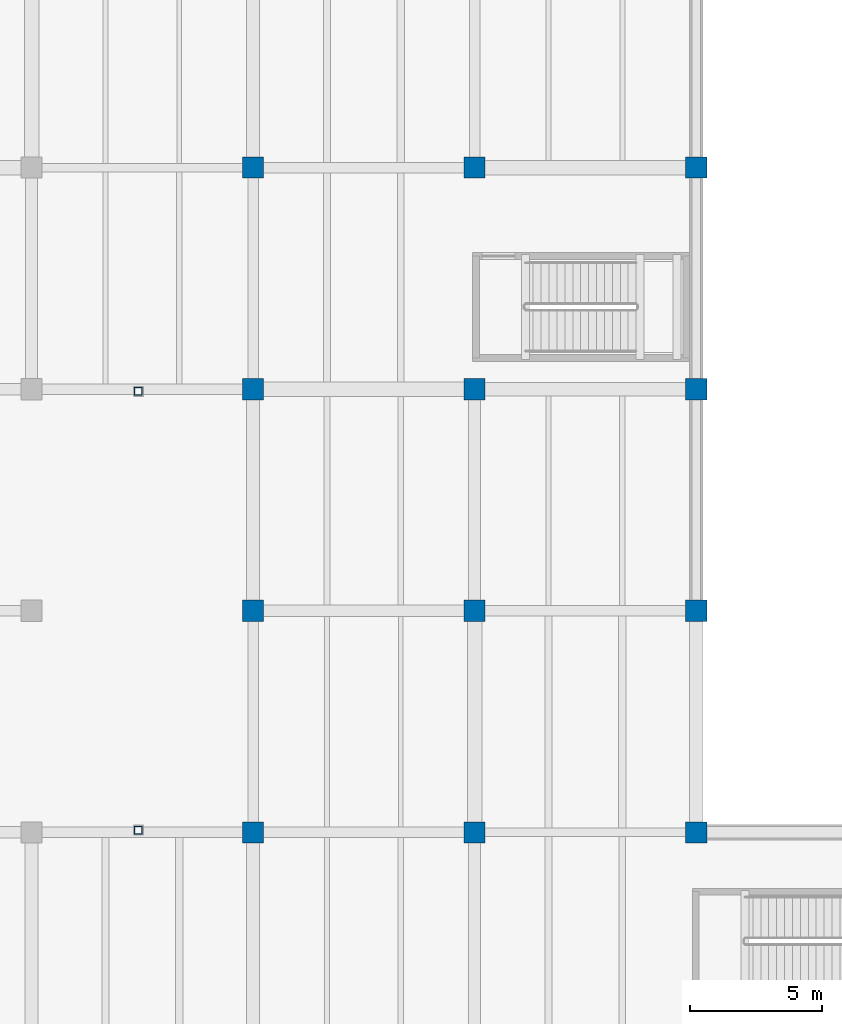
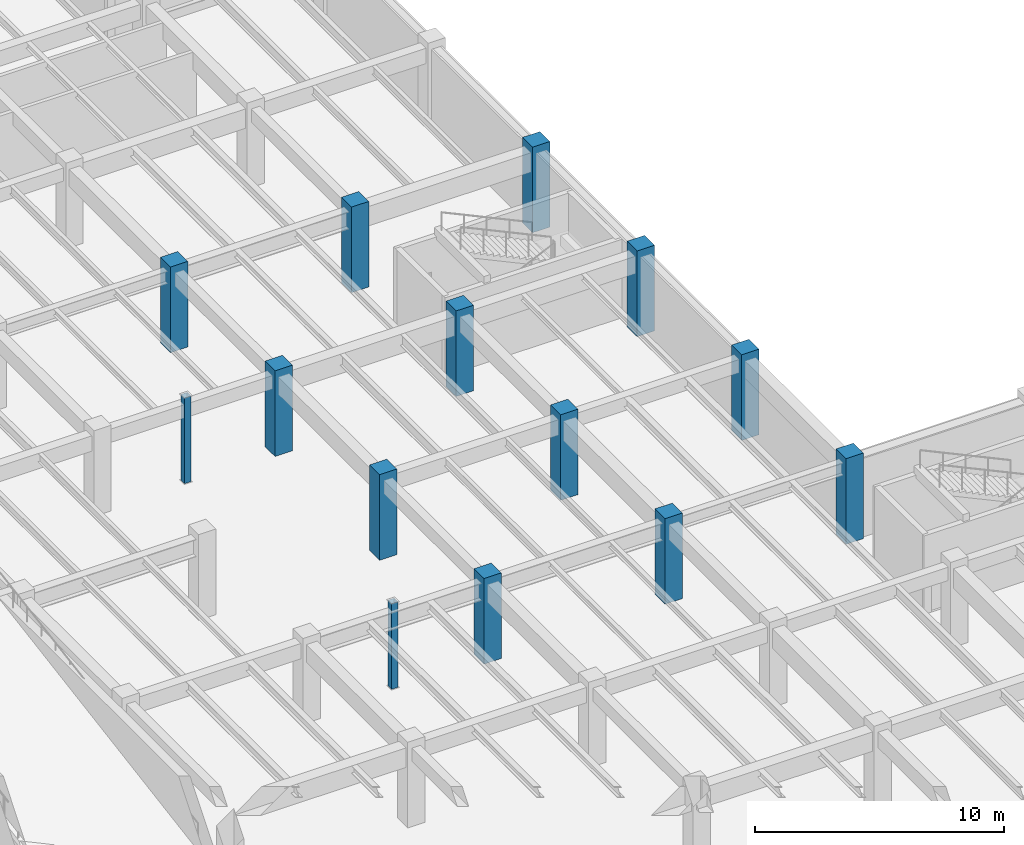
# One storey, part 13 of 63: 14 columns.
"""IFC4 building model written with IfcOpenShell, lengths in metres."""

from ifc_helpers import new_model, si_unit, direction, frame, origin, origin_2d, place, context, subcontext, project, spatial, rectangle, hollow_rectangle, extrude, material, material_profile, profile_set, type_object, element, save


model = new_model("IFC4")

# Units and contexts
model_context = context("Model", 3, precision=1e-05, world=origin(), true_north=direction((0.0, 1.0)))
body_context = subcontext(model_context, "Body", "Model", "MODEL_VIEW")
ifc_project = project(units=[si_unit("LENGTHUNIT", "METRE"), si_unit("AREAUNIT", "SQUARE_METRE"), si_unit("VOLUMEUNIT", "CUBIC_METRE"), si_unit("PLANEANGLEUNIT", "RADIAN"), si_unit("MASSUNIT", "GRAM", prefix="KILO")], contexts=[model_context])

# Site, building, storey
site_placement = place(None, origin())
site = spatial("IfcSite", under=ifc_project, at=site_placement, CompositionType="ELEMENT")
building_placement = place(site_placement, origin())
building = spatial("IfcBuilding", under=site, at=building_placement, Name="Cumbredor Promenade Congress Hotel", CompositionType="ELEMENT")
storey_placement = place(building_placement, frame((0.0, 0.0, -4.199951171875)))
storey = spatial("IfcBuildingStorey", under=building, at=storey_placement, Name="B01", CompositionType="ELEMENT", Elevation=-4.199951171875)

# Columns
ifc_material_1 = material(Name="Concrete C50/60", Category="concrete")
ifc_material_profile_1 = material_profile(ifc_material_1, rectangle(XDim=0.800048828125, YDim=0.800048828125, at=origin_2d()), Name="RC 800x800")
ifc_profile_set_1 = profile_set([ifc_material_profile_1], Name="Concrete C50/60")
column_type_1 = type_object("IfcColumnType", Name="COL-RC-800", PredefinedType="COLUMN", material=ifc_profile_set_1)
for number, where, z_axis, x_axis, name in (
    (1, (159.60009765625, 67.199951171875, 0.0), (0.0, 0.0, 1.0), (1.0, 0.0, 0.0), "B01 Structural Column 261"),
    (2, (159.60009765625, 75.60009765625, 0.0), (0.0, 0.0, 1.0), (1.0, 0.0, 0.0), "B01 Structural Column 262"),
    (3, (159.60009765625, 84.0, 0.0), (0.0, 0.0, 1.0), (1.0, 0.0, 0.0), "B01 Structural Column 263"),
    (4, (159.60009765625, 92.39990234375, 0.0), (0.0, 0.0, 1.0), (1.0, 0.0, 0.0), "B01 Structural Column 264"),
    (5, (168.0, 67.199951171875, 0.0), (0.0, 0.0, 1.0), (1.0, 0.0, 0.0), "B01 Structural Column 275"),
    (6, (168.0, 75.60009765625, 0.0), (0.0, 0.0, 1.0), (1.0, 0.0, 0.0), "B01 Structural Column 276"),
    (7, (168.0, 84.0, 0.0), (0.0, 0.0, 1.0), (1.0, 0.0, 0.0), "B01 Structural Column 277"),
    (8, (168.0, 92.39990234375, 0.0), (0.0, 0.0, 1.0), (1.0, 0.0, 0.0), "B01 Structural Column 278"),
    (9, (176.39990234375, 67.199951171875, 0.0), (0.0, 0.0, 1.0), (1.0, 0.0, 0.0), "B01 Structural Column 289"),
    (10, (176.39990234375, 75.60009765625, 0.0), (0.0, 0.0, 1.0), (1.0, 0.0, 0.0), "B01 Structural Column 290"),
    (11, (176.39990234375, 84.0, 0.0), (0.0, 0.0, 1.0), (1.0, 0.0, 0.0), "B01 Structural Column 291"),
    (12, (176.39990234375, 92.39990234375, 0.0), (0.0, 0.0, 1.0), (1.0, 0.0, 0.0), "B01 Structural Column 292"),
):
    element("IfcColumn", number, at=place(storey_placement, frame(where, z_axis=z_axis, x_axis=x_axis)), inside=storey, type_object=column_type_1, Name=name, PredefinedType="COLUMN", context=body_context, shape_type="SweptSolid", body=[
        extrude(rectangle(XDim=0.800048828125, YDim=0.800048828125, at=origin_2d()), origin(), (0.0, 0.0, 1.0), 4.199951171875),
    ])
ifc_material_2 = material(Name="Steel ASTM A500 Grade C", Category="steel")
ifc_material_profile_2 = material_profile(ifc_material_2, hollow_rectangle(XDim=0.300048828125, YDim=0.300048828125, WallThickness=0.01611328125, at=origin_2d()), Name="HSS 300x300x16")
ifc_profile_set_2 = profile_set([ifc_material_profile_2], Name="Steel ASTM A500 Grade C")
column_type_2 = type_object("IfcColumnType", Name="COL-STL-HSS300", PredefinedType="COLUMN", material=ifc_profile_set_2)
for number, where, z_axis, x_axis, name in (
    (13, (155.25, 67.280029296875, 0.0), (0.0, 0.0, 1.0), (1.0, 0.0, 0.0), "East Ballroom-to-Forum Glazed Bridge B01 Substructure Pier 2"),
    (14, (155.25, 83.919921875, 0.0), (0.0, 0.0, 1.0), (1.0, 0.0, 0.0), "East Ballroom-to-Forum Glazed Bridge B01 Substructure Pier 4"),
):
    element("IfcColumn", number, at=place(storey_placement, frame(where, z_axis=z_axis, x_axis=x_axis)), inside=storey, type_object=column_type_2, Name=name, PredefinedType="COLUMN", context=body_context, shape_type="SweptSolid", body=[
        extrude(hollow_rectangle(XDim=0.300048828125, YDim=0.300048828125, WallThickness=0.01611328125, at=origin_2d()), origin(), (0.0, 0.0, 1.0), 4.199951171875),
    ])

save(model, "model.ifc")
